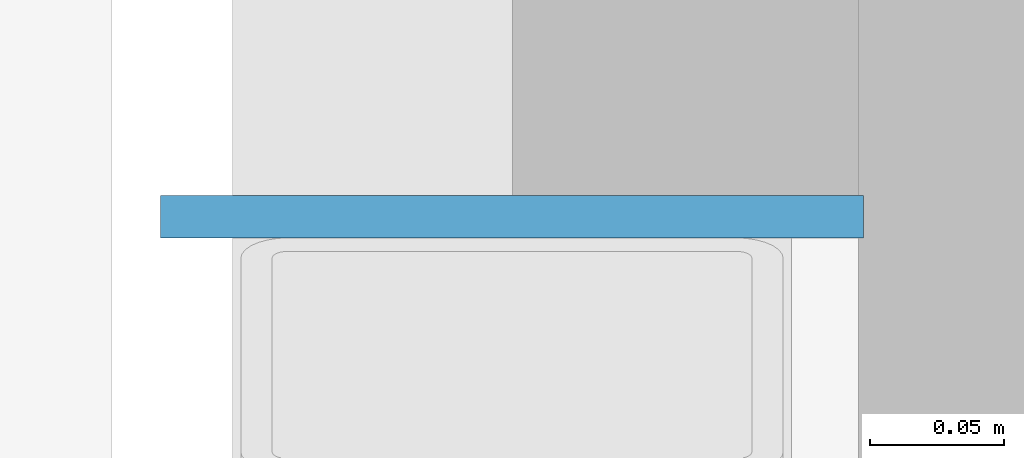
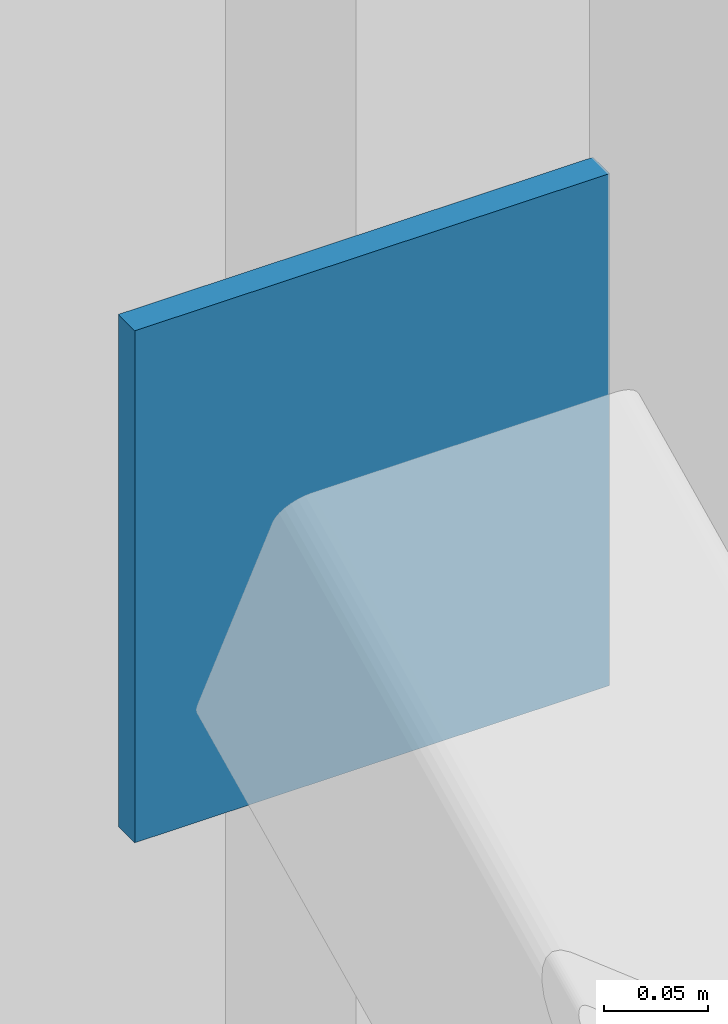
# One storey, part 67 of 116: 1 plate.
"""IFC4 building model written with IfcOpenShell, lengths in metres."""

from ifc_helpers import new_model, si_unit, direction, frame, origin, origin_2d, place, context, subcontext, project, spatial, rectangle, extrude, material, layer, layer_set, type_object, element, save


model = new_model("IFC4")

# Units and contexts
model_context = context("Model", 3, precision=1e-05, world=origin(), true_north=direction((0.0, 1.0)))
body_context = subcontext(model_context, "Body", "Model", "MODEL_VIEW")
ifc_project = project(units=[si_unit("LENGTHUNIT", "METRE"), si_unit("AREAUNIT", "SQUARE_METRE"), si_unit("VOLUMEUNIT", "CUBIC_METRE"), si_unit("PLANEANGLEUNIT", "RADIAN"), si_unit("MASSUNIT", "GRAM", prefix="KILO")], contexts=[model_context])

# Site, building, storey
site_placement = place(None, origin())
site = spatial("IfcSite", under=ifc_project, at=site_placement, CompositionType="ELEMENT")
building_placement = place(site_placement, origin())
building = spatial("IfcBuilding", under=site, at=building_placement, Name="Ljudholm Concert House", CompositionType="ELEMENT")
storey_placement = place(building_placement, frame((0.0, 0.0, 10.199951171875)))
storey = spatial("IfcBuildingStorey", under=building, at=storey_placement, Name="L02", CompositionType="ELEMENT", Elevation=10.199951171875)

# Plate
ifc_material = material(Name="Steel ASTM A36", Category="steel")
ifc_layer = layer(ifc_material, 0.015869140625)
ifc_layer_set = layer_set([ifc_layer], Name="Steel ASTM A36")
plate_type = type_object("IfcPlateType", Name="EMBED PLATE 16x263x300", PredefinedType="SHEET", material=ifc_layer_set)
plate_placement = place(storey_placement, frame((54.39990234375, 126.592041015625, 2.51416015625), z_axis=(0.0, 0.0, 1.0), x_axis=(1.0, 0.0, 0.0)))
element("IfcPlate", 1, at=plate_placement, inside=storey, type_object=plate_type, Name="Brace embed plate", PredefinedType="SHEET", context=body_context, shape_type="SweptSolid", body=[
    extrude(rectangle(XDim=0.26318359375, YDim=0.015869140625, at=origin_2d()), origin(), (0.0, 0.0, 1.0), 0.300048828125),
])

save(model, "model.ifc")
